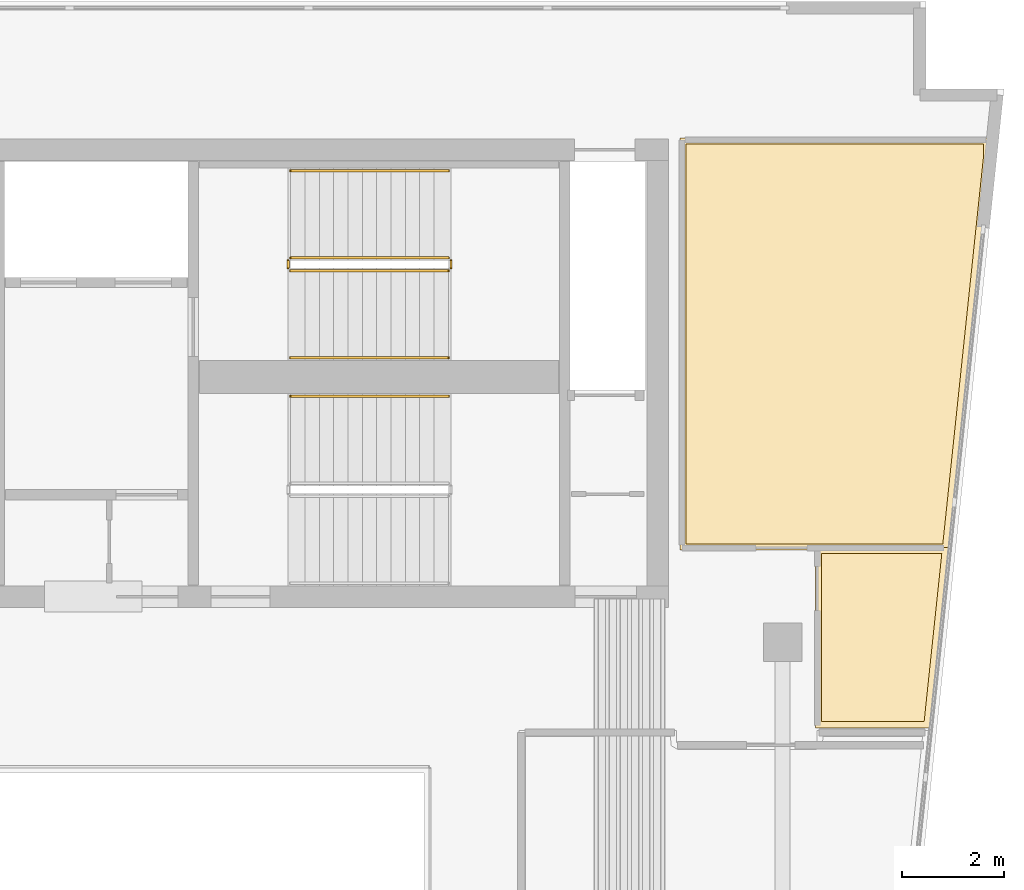
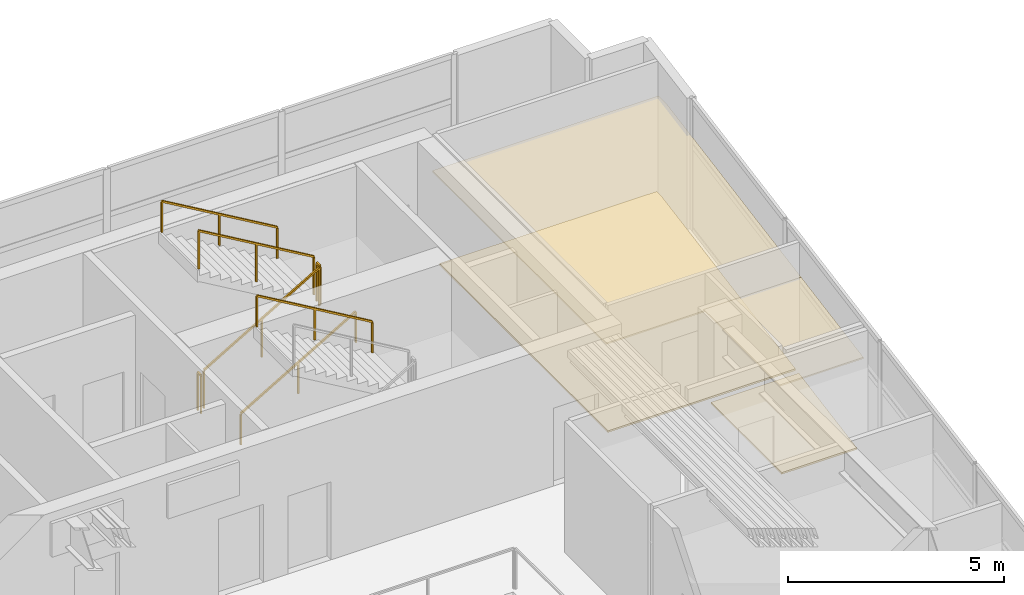
# One storey, part 6 of 6: 7 railings, 4 coverings.
"""IFC4 building model written with IfcOpenShell, lengths in metres."""

from ifc_helpers import new_model, si_unit, direction, frame, origin, origin_2d, place, context, subcontext, project, spatial, polyline, rectangle, outline, extrude, material, layer, layer_set, type_object, element, save


model = new_model("IFC4")

# Units and contexts
model_context = context("Model", 3, precision=1e-05, world=origin(), true_north=direction((0.0, 1.0)))
body_context = subcontext(model_context, "Body", "Model", "MODEL_VIEW")
ifc_project = project(units=[si_unit("LENGTHUNIT", "METRE"), si_unit("AREAUNIT", "SQUARE_METRE"), si_unit("VOLUMEUNIT", "CUBIC_METRE"), si_unit("PLANEANGLEUNIT", "RADIAN"), si_unit("MASSUNIT", "GRAM", prefix="KILO")], contexts=[model_context])

# Site, building, storey
site_placement = place(None, origin())
site = spatial("IfcSite", under=ifc_project, at=site_placement, CompositionType="ELEMENT")
building_placement = place(site_placement, origin())
building = spatial("IfcBuilding", under=site, at=building_placement, Name="Caeloran Harvest Quay", CompositionType="ELEMENT")
storey_placement = place(building_placement, frame((0.0, 0.0, 292.25)))
storey = spatial("IfcBuildingStorey", under=building, at=storey_placement, Name="L70", CompositionType="ELEMENT", Elevation=292.25)

# Coverings
ifc_material_1 = material(Name="Perforated Mineral-Fibre Acoustic Ceiling Tile", Category="ceiling")
ifc_layer_1 = layer(ifc_material_1, 0.0400390625, Name="Perforated Mineral-Fibre Acoustic Ceiling Tile")
ifc_layer_set_1 = layer_set([ifc_layer_1], Name="Perforated Mineral-Fibre Acoustic Ceiling Tile")
covering_type_1 = type_object("IfcCoveringType", Name="COV-CEILING-ACOUSTIC", PredefinedType="CEILING", material=ifc_layer_set_1)
covering_1_placement = place(storey_placement, frame((0.0, 0.0, 2.60009765625)))
element("IfcCovering", 1, at=covering_1_placement, inside=storey, type_object=covering_type_1, Name="L70 Bioinformatics and Crop Phenotyping Laboratory Acoustic Ceiling", PredefinedType="CEILING", context=body_context, shape_type="SweptSolid", body=[
    extrude(outline(polyline([(29.54150390625, 40.475341796875), (28.7353515625, 32.800048828125), (23.5, 32.800048828125), (23.5, 40.840087890625), (29.54150390625, 40.840087890625), (29.54150390625, 40.475341796875)])), origin(), (0.0, 0.0, 1.0), 0.039794921875),
])
covering_2_placement = place(storey_placement, frame((0.0, 0.0, 2.60009765625)))
element("IfcCovering", 2, at=covering_2_placement, inside=storey, type_object=covering_type_1, Name="Advisory Council Boardroom Acoustic Ceiling", PredefinedType="CEILING", context=body_context, shape_type="SweptSolid", body=[
    extrude(outline(polyline([(26.139892578125, 32.798095703125), (26.12158203125, 32.85009765625), (28.740478515625, 32.85009765625), (28.370849609375, 29.330078125), (26.139892578125, 29.330078125), (26.139892578125, 32.798095703125)])), origin(), (0.0, 0.0, 1.0), 0.039794921875),
])
ifc_material_2 = material(Name="Calcium-Sulphate Raised Access Floor and Terrazzo Finish", Category="flooring")
ifc_layer_2 = layer(ifc_material_2, 0.050048828125, Name="Calcium-Sulphate Raised Access Floor and Terrazzo Finish")
ifc_layer_set_2 = layer_set([ifc_layer_2], Name="Calcium-Sulphate Raised Access Floor and Terrazzo Finish")
covering_type_2 = type_object("IfcCoveringType", Name="COV-FLOOR-RAISED", PredefinedType="FLOORING", material=ifc_layer_set_2)
covering_3_placement = place(storey_placement, origin())
element("IfcCovering", 3, at=covering_3_placement, inside=storey, type_object=covering_type_2, Name="L70 Bioinformatics and Crop Phenotyping Laboratory Raised Finish Flooring", PredefinedType="FLOORING", context=body_context, shape_type="SweptSolid", body=[
    extrude(outline(polyline([(29.42138671875, 40.481689453125), (28.627197265625, 32.919921875), (23.6201171875, 32.919921875), (23.6201171875, 40.719970703125), (29.42138671875, 40.719970703125), (29.42138671875, 40.481689453125)])), origin(), (0.0, 0.0, 1.0), 0.050048828125),
])
covering_4_placement = place(storey_placement, origin())
element("IfcCovering", 4, at=covering_4_placement, inside=storey, type_object=covering_type_2, Name="Advisory Council Boardroom Raised Finish Flooring", PredefinedType="FLOORING", context=body_context, shape_type="SweptSolid", body=[
    extrude(outline(polyline([(26.260009765625, 32.72998046875), (28.607421875, 32.72998046875), (28.2626953125, 29.449951171875), (26.260009765625, 29.449951171875), (26.260009765625, 32.72998046875)])), origin(), (0.0, 0.0, 1.0), 0.050048828125),
])

# Railings
ifc_material_3 = material(Name="Painted Steel Baluster and Top-Rail Stair Guard", Category="steel")
ifc_layer_3 = layer(ifc_material_3, 0.050048828125, Name="Painted Steel Baluster and Top-Rail Stair Guard")
ifc_layer_set_3 = layer_set([ifc_layer_3], Name="Painted Steel Baluster and Top-Rail Stair Guard")
railing_type_1 = type_object("IfcRailingType", Name="STAIR-GUARD-1100", PredefinedType="GUARDRAIL", material=ifc_layer_set_3)
railing_1_placement = place(storey_placement, frame((15.89990234375, 38.25, 0.16455078125)))
element("IfcRailing", 5, at=railing_1_placement, inside=storey, type_object=railing_type_1, Name="L70 ST-C1 stair guard 1", PredefinedType="GUARDRAIL", context=body_context, shape_type="SweptSolid", body=[
    extrude(rectangle(XDim=0.048095703125, YDim=0.048095703125, at=origin_2d()), frame((0.0, 0.0, 1.076171875), z_axis=(0.862088758681, 0.0, 0.506757310905), x_axis=(0.0, 1.0, 0.0)), (0.0, 0.0, 1.0), 3.57275390625),
    extrude(rectangle(XDim=0.0419921875, YDim=0.0419921875, at=origin_2d()), origin(), (0.0, 0.0, 1.0), 1.052001953125),
    extrude(rectangle(XDim=0.0419921875, YDim=0.0419921875, at=origin_2d()), frame((1.5400390625, 0.0, 0.9052734375)), (0.0, 0.0, 1.0), 1.052001953125),
    extrude(rectangle(XDim=0.0419921875, YDim=0.0419921875, at=origin_2d()), frame((3.080078125, 0.0, 1.810546875)), (0.0, 0.0, 1.0), 1.052001953125),
])
railing_2_placement = place(storey_placement, frame((19.030029296875, 38.300048828125, 1.97509765625)))
element("IfcRailing", 6, at=railing_2_placement, inside=storey, type_object=railing_type_1, Name="L70 ST-C1 stair guard 2", PredefinedType="GUARDRAIL", context=body_context, shape_type="SweptSolid", body=[
    extrude(rectangle(XDim=0.048095703125, YDim=0.048095703125, at=origin_2d()), frame((0.0, 0.0, 1.076171875), z_axis=(0.0, 1.0, 0.0), x_axis=(-1.0, 0.0, 0.0)), (0.0, 0.0, 1.0), 0.14990234375),
    extrude(rectangle(XDim=0.0419921875, YDim=0.0419921875, at=origin_2d()), origin(), (0.0, 0.0, 1.0), 1.052001953125),
    extrude(rectangle(XDim=0.0419921875, YDim=0.0419921875, at=origin_2d()), frame((0.0, 0.14990234375, 0.0)), (0.0, 0.0, 1.0), 1.052001953125),
])
railing_3_placement = place(storey_placement, frame((18.97998046875, 38.5, 2.1396484375)))
element("IfcRailing", 7, at=railing_3_placement, inside=storey, type_object=railing_type_1, Name="L70 ST-C1 stair guard 3", PredefinedType="GUARDRAIL", context=body_context, shape_type="SweptSolid", body=[
    extrude(rectangle(XDim=0.048095703125, YDim=0.048095703125, at=origin_2d()), frame((0.0, 0.0, 1.076171875), z_axis=(-0.862118610829, 0.0, 0.506706523406), x_axis=(0.0, -1.0, 0.0)), (0.0, 0.0, 1.0), 3.57275390625),
    extrude(rectangle(XDim=0.0419921875, YDim=0.0419921875, at=origin_2d()), origin(), (0.0, 0.0, 1.0), 1.052001953125),
    extrude(rectangle(XDim=0.0419921875, YDim=0.0419921875, at=origin_2d()), frame((-1.5400390625, 0.0, 0.9052734375)), (0.0, 0.0, 1.0), 1.052001953125),
    extrude(rectangle(XDim=0.0419921875, YDim=0.0419921875, at=origin_2d()), frame((-3.080078125, 0.0, 1.810302734375)), (0.0, 0.0, 1.0), 1.052001953125),
])
railing_4_placement = place(storey_placement, frame((15.85009765625, 38.300048828125, 0.0)))
element("IfcRailing", 8, at=railing_4_placement, inside=storey, type_object=railing_type_1, Name="L70 ST-C1 stair guard 4", PredefinedType="GUARDRAIL", context=body_context, shape_type="SweptSolid", body=[
    extrude(rectangle(XDim=0.048095703125, YDim=0.048095703125, at=origin_2d()), frame((0.0, 0.0, 1.076171875), z_axis=(0.0, 1.0, 0.0), x_axis=(-1.0, 0.0, 0.0)), (0.0, 0.0, 1.0), 0.14990234375),
    extrude(rectangle(XDim=0.0419921875, YDim=0.0419921875, at=origin_2d()), origin(), (0.0, 0.0, 1.0), 1.052001953125),
    extrude(rectangle(XDim=0.0419921875, YDim=0.0419921875, at=origin_2d()), frame((0.0, 0.14990234375, 0.0)), (0.0, 0.0, 1.0), 1.052001953125),
])
ifc_material_4 = material(Name="Brushed Stainless Steel Grade 304", Category="steel")
ifc_layer_4 = layer(ifc_material_4, 0.050048828125, Name="Brushed Stainless Steel Grade 304")
ifc_layer_set_4 = layer_set([ifc_layer_4], Name="Brushed Stainless Steel Grade 304")
railing_type_2 = type_object("IfcRailingType", Name="STAIR-HANDRAIL-900", PredefinedType="HANDRAIL", material=ifc_layer_set_4)
railing_5_placement = place(storey_placement, frame((15.89990234375, 36.550048828125, 0.16455078125)))
element("IfcRailing", 9, at=railing_5_placement, inside=storey, type_object=railing_type_2, Name="L70 ST-C1 stair handrail 1", PredefinedType="HANDRAIL", context=body_context, shape_type="SweptSolid", body=[
    extrude(rectangle(XDim=0.048095703125, YDim=0.048095703125, at=origin_2d()), frame((0.0, 0.0, 0.8759765625), z_axis=(0.862088758681, 0.0, 0.506757310905), x_axis=(0.0, 1.0, 0.0)), (0.0, 0.0, 1.0), 3.57275390625),
    extrude(rectangle(XDim=0.0419921875, YDim=0.0419921875, at=origin_2d()), origin(), (0.0, 0.0, 1.0), 0.851806640625),
    extrude(rectangle(XDim=0.0419921875, YDim=0.0419921875, at=origin_2d()), frame((1.5400390625, 0.0, 0.9052734375)), (0.0, 0.0, 1.0), 0.851806640625),
    extrude(rectangle(XDim=0.0419921875, YDim=0.0419921875, at=origin_2d()), frame((3.080078125, 0.0, 1.810546875)), (0.0, 0.0, 1.0), 0.851806640625),
])
for number, where, name in (
    (10, (18.97998046875, 40.199951171875, 2.1396484375), "L70 ST-C1 stair handrail 2"),
    (11, (18.97998046875, 35.800048828125, 2.1396484375), "L70 ST-C2 stair handrail 2"),
):
    element("IfcRailing", number, at=place(storey_placement, frame(where)), inside=storey, type_object=railing_type_2, Name=name, PredefinedType="HANDRAIL", context=body_context, shape_type="SweptSolid", body=[
        extrude(rectangle(XDim=0.048095703125, YDim=0.048095703125, at=origin_2d()), frame((0.0, 0.0, 0.8759765625), z_axis=(-0.862118610829, 0.0, 0.506706523406), x_axis=(0.0, -1.0, 0.0)), (0.0, 0.0, 1.0), 3.57275390625),
        extrude(rectangle(XDim=0.0419921875, YDim=0.0419921875, at=origin_2d()), origin(), (0.0, 0.0, 1.0), 0.851806640625),
        extrude(rectangle(XDim=0.0419921875, YDim=0.0419921875, at=origin_2d()), frame((-1.5400390625, 0.0, 0.9052734375)), (0.0, 0.0, 1.0), 0.851806640625),
        extrude(rectangle(XDim=0.0419921875, YDim=0.0419921875, at=origin_2d()), frame((-3.080078125, 0.0, 1.810302734375)), (0.0, 0.0, 1.0), 0.851806640625),
    ])

save(model, "model.ifc")
